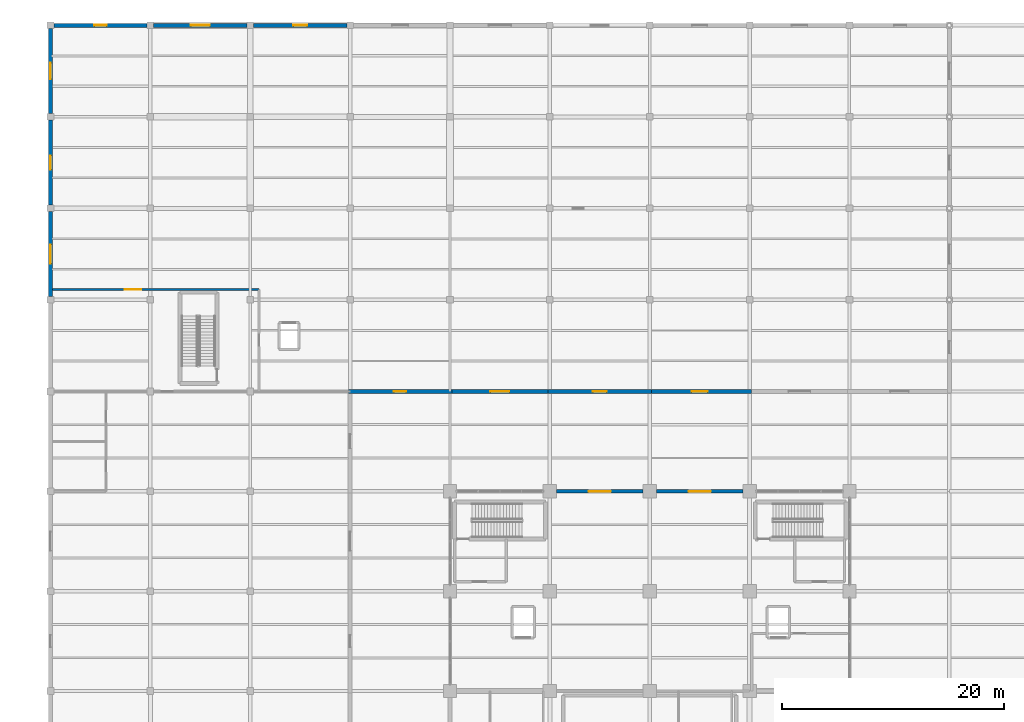
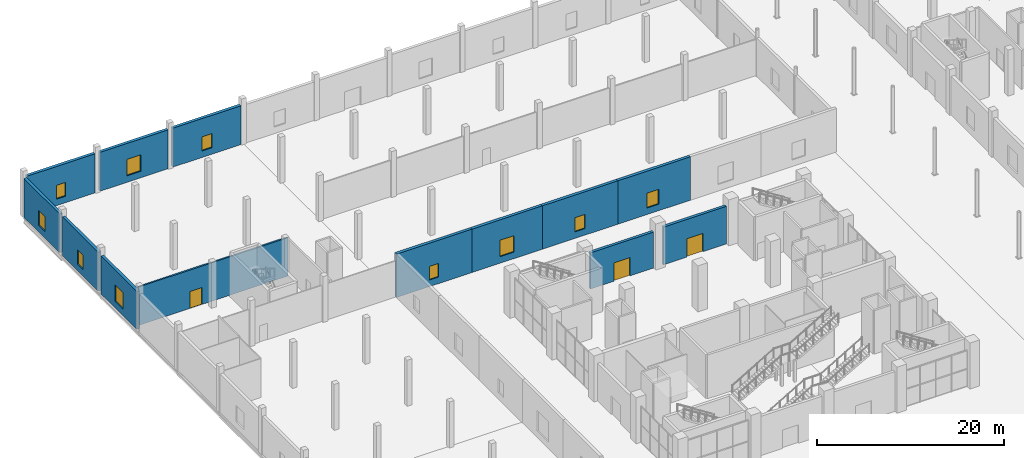
# One storey, part 127 of 144: 13 walls, 10 windows, 3 doors, 13 openings.
"""IFC4 building model written with IfcOpenShell, lengths in metres."""

from ifc_helpers import new_model, si_unit, direction, frame, frame_2d, origin, place, context, subcontext, project, spatial, rectangle, extrude, material, layer, layer_set, type_object, element, fill, save


model = new_model("IFC4")

# Units and contexts
model_context = context("Model", 3, precision=1e-05, world=origin(), true_north=direction((0.0, 1.0)))
body_context = subcontext(model_context, "Body", "Model", "MODEL_VIEW")
ifc_project = project(units=[si_unit("LENGTHUNIT", "METRE"), si_unit("AREAUNIT", "SQUARE_METRE"), si_unit("VOLUMEUNIT", "CUBIC_METRE"), si_unit("PLANEANGLEUNIT", "RADIAN"), si_unit("MASSUNIT", "GRAM", prefix="KILO")], contexts=[model_context])

# Site, building, storey
site_placement = place(None, origin())
site = spatial("IfcSite", under=ifc_project, at=site_placement, CompositionType="ELEMENT")
building_placement = place(site_placement, origin())
building = spatial("IfcBuilding", under=site, at=building_placement, Name="Sundgate Opera House", CompositionType="ELEMENT")
storey_placement = place(building_placement, origin())
storey = spatial("IfcBuildingStorey", under=building, at=storey_placement, Name="L00", CompositionType="ELEMENT", Elevation=0.0)

# Wall, opening, window
ifc_material_1 = material(Name="Scanian red-brown facing brick masonry", Category="masonry")
ifc_layer_1 = layer(ifc_material_1, 0.360107421875)
ifc_layer_set_1 = layer_set([ifc_layer_1], Name="Scanian red-brown facing brick masonry")
wall_type_1 = type_object("IfcWallType", Name="WL-EXT-BRICK-360", PredefinedType="SOLIDWALL", material=ifc_layer_set_1)
wall_1_placement = place(storey_placement, frame((0.294921875, 120.0, 0.0), z_axis=(0.0, 0.0, 1.0), x_axis=(1.0, 0.0, 0.0)))
wall_1 = element("IfcWall", 1, at=wall_1_placement, inside=storey, type_object=wall_type_1, Name="L00 Costume Wing North Wall W0347", PredefinedType="SOLIDWALL", context=body_context, shape_type="SweptSolid", body=[
    extrude(rectangle(XDim=8.41015625, YDim=0.360107421875, at=frame_2d((4.205078125, 0.0))), origin(), (0.0, 0.0, 1.0), 5.114990234375),
])
opening_1_placement = place(wall_1_placement, frame((3.655029296875, 0.0, 0.85009765625)))
opening_1 = element("IfcOpeningElement", 2, at=opening_1_placement, cuts=wall_1, Name="Opening W12", PredefinedType="OPENING", context=body_context, shape_type="SweptSolid", body=[
    extrude(rectangle(XDim=1.10009765625, YDim=1.800048828125, at=frame_2d((0.550048828125, 0.89990234375))), frame((0.0, 0.18994140625, 0.0), z_axis=(0.0, -1.0, 0.0), x_axis=(1.0, 0.0, 0.0)), (0.0, 0.0, 1.0), 0.380126953125),
])
ifc_material_2 = material(Name="Low-iron triple glazing in patinated bronze frame", Category="glass")
window_type_1 = type_object("IfcWindowType", Name="WN-STAGE-1100x1800", PartitioningType="SINGLE_PANEL", PredefinedType="WINDOW", material=ifc_material_2)
window_1_placement = place(opening_1_placement, origin())
window_1 = element("IfcWindow", 3, at=window_1_placement, inside=storey, type_object=window_type_1, Name="L00 Costume Pavilion Window WN0264", OverallHeight=1.800048828125, OverallWidth=1.10009765625, PartitioningType="SINGLE_PANEL", PredefinedType="WINDOW", context=body_context, shape_type="SweptSolid", body=[
    extrude(rectangle(XDim=1.10009765625, YDim=1.800048828125, at=frame_2d((0.550048828125, 0.89990234375))), frame((0.0, 0.030029296875, 0.0), z_axis=(0.0, -1.0, 0.0), x_axis=(1.0, 0.0, 0.0)), (0.0, 0.0, 1.0), 0.06005859375),
])
fill(opening_1, window_1)

wall_2_placement = place(storey_placement, frame((9.294921875, 120.0, 0.0), z_axis=(0.0, 0.0, 1.0), x_axis=(1.0, 0.0, 0.0)))
wall_2 = element("IfcWall", 4, at=wall_2_placement, inside=storey, type_object=wall_type_1, Name="L00 Costume Wing North Wall W0348", PredefinedType="SOLIDWALL", context=body_context, shape_type="SweptSolid", body=[
    extrude(rectangle(XDim=8.41015625, YDim=0.360107421875, at=frame_2d((4.205078125, 0.0))), origin(), (0.0, 0.0, 1.0), 5.074951171875),
])
opening_2_placement = place(wall_2_placement, frame((3.35498046875, 0.0, 0.85009765625)))
opening_2 = element("IfcOpeningElement", 5, at=opening_2_placement, cuts=wall_2, Name="Opening W13", PredefinedType="OPENING", context=body_context, shape_type="SweptSolid", body=[
    extrude(rectangle(XDim=1.699951171875, YDim=2.14990234375, at=frame_2d((0.85009765625, 1.074951171875))), frame((0.0, 0.18994140625, 0.0), z_axis=(0.0, -1.0, 0.0), x_axis=(1.0, 0.0, 0.0)), (0.0, 0.0, 1.0), 0.380126953125),
])
ifc_material_3 = material(Name="Low-iron triple glazing in patinated bronze frame", Category="glass")
window_type_2 = type_object("IfcWindowType", Name="WN-GALL-1700x2150", PartitioningType="SINGLE_PANEL", PredefinedType="WINDOW", material=ifc_material_3)
window_2_placement = place(opening_2_placement, origin())
window_2 = element("IfcWindow", 6, at=window_2_placement, inside=storey, type_object=window_type_2, Name="L00 Costume Pavilion Window WN0265", OverallHeight=2.14990234375, OverallWidth=1.699951171875, PartitioningType="SINGLE_PANEL", PredefinedType="WINDOW", context=body_context, shape_type="SweptSolid", body=[
    extrude(rectangle(XDim=1.699951171875, YDim=2.14990234375, at=frame_2d((0.85009765625, 1.074951171875))), frame((0.0, 0.030029296875, 0.0), z_axis=(0.0, -1.0, 0.0), x_axis=(1.0, 0.0, 0.0)), (0.0, 0.0, 1.0), 0.06005859375),
])
fill(opening_2, window_2)

wall_3_placement = place(storey_placement, frame((18.294921875, 120.0, 0.0), z_axis=(0.0, 0.0, 1.0), x_axis=(1.0, 0.0, 0.0)))
wall_3 = element("IfcWall", 7, at=wall_3_placement, inside=storey, type_object=wall_type_1, Name="L00 Costume Wing North Wall W0349", PredefinedType="SOLIDWALL", context=body_context, shape_type="SweptSolid", body=[
    extrude(rectangle(XDim=8.41015625, YDim=0.360107421875, at=frame_2d((4.205078125, 0.0))), origin(), (0.0, 0.0, 1.0), 5.074951171875),
])
opening_3_placement = place(wall_3_placement, frame((3.580078125, 0.0, 0.85009765625)))
opening_3 = element("IfcOpeningElement", 8, at=opening_3_placement, cuts=wall_3, Name="Opening W14", PredefinedType="OPENING", context=body_context, shape_type="SweptSolid", body=[
    extrude(rectangle(XDim=1.25, YDim=1.85009765625, at=frame_2d((0.625, 0.925048828125))), frame((0.0, 0.18994140625, 0.0), z_axis=(0.0, -1.0, 0.0), x_axis=(1.0, 0.0, 0.0)), (0.0, 0.0, 1.0), 0.380126953125),
])
ifc_material_4 = material(Name="Low-iron triple glazing in patinated bronze frame", Category="glass")
window_type_3 = type_object("IfcWindowType", Name="WN-DRES-1250x1850", PartitioningType="SINGLE_PANEL", PredefinedType="WINDOW", material=ifc_material_4)
window_3_placement = place(opening_3_placement, origin())
window_3 = element("IfcWindow", 9, at=window_3_placement, inside=storey, type_object=window_type_3, Name="L00 Costume Pavilion Window WN0266", OverallHeight=1.85009765625, OverallWidth=1.25, PartitioningType="SINGLE_PANEL", PredefinedType="WINDOW", context=body_context, shape_type="SweptSolid", body=[
    extrude(rectangle(XDim=1.25, YDim=1.85009765625, at=frame_2d((0.625, 0.925048828125))), frame((0.0, 0.030029296875, 0.0), z_axis=(0.0, -1.0, 0.0), x_axis=(1.0, 0.0, 0.0)), (0.0, 0.0, 1.0), 0.06005859375),
])
fill(opening_3, window_3)

wall_4_placement = place(storey_placement, frame((0.0, 103.205078125, 0.0), z_axis=(0.0, 0.0, 1.0), x_axis=(0.0, -1.0, 0.0)))
wall_4 = element("IfcWall", 10, at=wall_4_placement, inside=storey, type_object=wall_type_1, Name="L00 Costume Wing West Wall W0357", PredefinedType="SOLIDWALL", context=body_context, shape_type="SweptSolid", body=[
    extrude(rectangle(XDim=7.66015625, YDim=0.360107421875, at=frame_2d((3.830078125, 0.0))), origin(), (0.0, 0.0, 1.0), 4.965087890625),
])
opening_4_placement = place(wall_4_placement, frame((2.97998046875, 0.0, 0.85009765625)))
opening_4 = element("IfcOpeningElement", 11, at=opening_4_placement, cuts=wall_4, Name="Opening W13", PredefinedType="OPENING", context=body_context, shape_type="SweptSolid", body=[
    extrude(rectangle(XDim=1.699951171875, YDim=2.14990234375, at=frame_2d((0.85009765625, 1.074951171875))), frame((0.0, 0.18994140625, 0.0), z_axis=(0.0, -1.0, 0.0), x_axis=(1.0, 0.0, 0.0)), (0.0, 0.0, 1.0), 0.380126953125),
])
window_4_placement = place(opening_4_placement, origin())
window_4 = element("IfcWindow", 12, at=window_4_placement, inside=storey, type_object=window_type_2, Name="L00 Costume Pavilion Window WN0272", OverallHeight=2.14990234375, OverallWidth=1.699951171875, PartitioningType="SINGLE_PANEL", PredefinedType="WINDOW", context=body_context, shape_type="SweptSolid", body=[
    extrude(rectangle(XDim=1.699951171875, YDim=2.14990234375, at=frame_2d((0.85009765625, 1.074951171875))), frame((0.0, 0.030029296875, 0.0), z_axis=(0.0, -1.0, 0.0), x_axis=(1.0, 0.0, 0.0)), (0.0, 0.0, 1.0), 0.06005859375),
])
fill(opening_4, window_4)

wall_5_placement = place(storey_placement, frame((0.0, 111.455078125, 0.0), z_axis=(0.0, 0.0, 1.0), x_axis=(0.0, -1.0, 0.0)))
wall_5 = element("IfcWall", 13, at=wall_5_placement, inside=storey, type_object=wall_type_1, Name="L00 Costume Wing West Wall W0358", PredefinedType="SOLIDWALL", context=body_context, shape_type="SweptSolid", body=[
    extrude(rectangle(XDim=7.66015625, YDim=0.360107421875, at=frame_2d((3.830078125, 0.0))), origin(), (0.0, 0.0, 1.0), 5.06494140625),
])
opening_5_placement = place(wall_5_placement, frame((3.205078125, 0.0, 0.85009765625)))
opening_5 = element("IfcOpeningElement", 14, at=opening_5_placement, cuts=wall_5, Name="Opening W14", PredefinedType="OPENING", context=body_context, shape_type="SweptSolid", body=[
    extrude(rectangle(XDim=1.25, YDim=1.85009765625, at=frame_2d((0.625, 0.925048828125))), frame((0.0, 0.18994140625, 0.0), z_axis=(0.0, -1.0, 0.0), x_axis=(1.0, 0.0, 0.0)), (0.0, 0.0, 1.0), 0.380126953125),
])
window_5_placement = place(opening_5_placement, origin())
window_5 = element("IfcWindow", 15, at=window_5_placement, inside=storey, type_object=window_type_3, Name="L00 Costume Pavilion Window WN0273", OverallHeight=1.85009765625, OverallWidth=1.25, PartitioningType="SINGLE_PANEL", PredefinedType="WINDOW", context=body_context, shape_type="SweptSolid", body=[
    extrude(rectangle(XDim=1.25, YDim=1.85009765625, at=frame_2d((0.625, 0.925048828125))), frame((0.0, 0.030029296875, 0.0), z_axis=(0.0, -1.0, 0.0), x_axis=(1.0, 0.0, 0.0)), (0.0, 0.0, 1.0), 0.06005859375),
])
fill(opening_5, window_5)

wall_6_placement = place(storey_placement, frame((0.0, 119.705078125, 0.0), z_axis=(0.0, 0.0, 1.0), x_axis=(0.0, -1.0, 0.0)))
wall_6 = element("IfcWall", 16, at=wall_6_placement, inside=storey, type_object=wall_type_1, Name="L00 Costume Wing West Wall W0359", PredefinedType="SOLIDWALL", context=body_context, shape_type="SweptSolid", body=[
    extrude(rectangle(XDim=7.66015625, YDim=0.360107421875, at=frame_2d((3.830078125, 0.0))), origin(), (0.0, 0.0, 1.0), 5.074951171875),
])
opening_6_placement = place(wall_6_placement, frame((3.10498046875, 0.0, 0.85009765625)))
opening_6 = element("IfcOpeningElement", 17, at=opening_6_placement, cuts=wall_6, Name="Opening W15", PredefinedType="OPENING", context=body_context, shape_type="SweptSolid", body=[
    extrude(rectangle(XDim=1.449951171875, YDim=1.949951171875, at=frame_2d((0.72509765625, 0.97509765625))), frame((0.0, 0.18994140625, 0.0), z_axis=(0.0, -1.0, 0.0), x_axis=(1.0, 0.0, 0.0)), (0.0, 0.0, 1.0), 0.380126953125),
])
ifc_material_5 = material(Name="Low-iron triple glazing in patinated bronze frame", Category="glass")
window_type_4 = type_object("IfcWindowType", Name="WN-LIBR-1450x1950", PartitioningType="SINGLE_PANEL", PredefinedType="WINDOW", material=ifc_material_5)
window_6_placement = place(opening_6_placement, origin())
window_6 = element("IfcWindow", 18, at=window_6_placement, inside=storey, type_object=window_type_4, Name="L00 Costume Pavilion Window WN0274", OverallHeight=1.949951171875, OverallWidth=1.449951171875, PartitioningType="SINGLE_PANEL", PredefinedType="WINDOW", context=body_context, shape_type="SweptSolid", body=[
    extrude(rectangle(XDim=1.449951171875, YDim=1.949951171875, at=frame_2d((0.72509765625, 0.97509765625))), frame((0.0, 0.030029296875, 0.0), z_axis=(0.0, -1.0, 0.0), x_axis=(1.0, 0.0, 0.0)), (0.0, 0.0, 1.0), 0.06005859375),
])
fill(opening_6, window_6)

wall_7_placement = place(storey_placement, frame((36.159912109375, 87.0, 0.0), z_axis=(0.0, 0.0, 1.0), x_axis=(-1.0, 0.0, 0.0)))
wall_7 = element("IfcWall", 19, at=wall_7_placement, inside=storey, type_object=wall_type_1, Name="L00 Costume Wing South Wall W0370", PredefinedType="SOLIDWALL", context=body_context, shape_type="SweptSolid", body=[
    extrude(rectangle(XDim=9.31982421875, YDim=0.360107421875, at=frame_2d((4.659912109375, 0.0))), origin(), (0.0, 0.0, 1.0), 5.6650390625),
])
opening_7_placement = place(wall_7_placement, frame((4.110107421875, 0.0, 0.85009765625)))
opening_7 = element("IfcOpeningElement", 20, at=opening_7_placement, cuts=wall_7, Name="Opening W12", PredefinedType="OPENING", context=body_context, shape_type="SweptSolid", body=[
    extrude(rectangle(XDim=1.10009765625, YDim=1.800048828125, at=frame_2d((0.550048828125, 0.89990234375))), frame((0.0, 0.18994140625, 0.0), z_axis=(0.0, -1.0, 0.0), x_axis=(1.0, 0.0, 0.0)), (0.0, 0.0, 1.0), 0.380126953125),
])
window_7_placement = place(opening_7_placement, origin())
window_7 = element("IfcWindow", 21, at=window_7_placement, inside=storey, type_object=window_type_1, Name="L00 Costume Pavilion Window WN0284", OverallHeight=1.800048828125, OverallWidth=1.10009765625, PartitioningType="SINGLE_PANEL", PredefinedType="WINDOW", context=body_context, shape_type="SweptSolid", body=[
    extrude(rectangle(XDim=1.10009765625, YDim=1.800048828125, at=frame_2d((0.550048828125, 0.89990234375))), frame((0.0, 0.030029296875, 0.0), z_axis=(0.0, -1.0, 0.0), x_axis=(1.0, 0.0, 0.0)), (0.0, 0.0, 1.0), 0.06005859375),
])
fill(opening_7, window_7)

wall_8_placement = place(storey_placement, frame((45.159912109375, 87.0, 0.0), z_axis=(0.0, 0.0, 1.0), x_axis=(-1.0, 0.0, 0.0)))
wall_8 = element("IfcWall", 22, at=wall_8_placement, inside=storey, type_object=wall_type_1, Name="L00 Costume Wing South Wall W0371", PredefinedType="SOLIDWALL", context=body_context, shape_type="SweptSolid", body=[
    extrude(rectangle(XDim=9.31982421875, YDim=0.360107421875, at=frame_2d((4.659912109375, 0.0))), origin(), (0.0, 0.0, 1.0), 5.6650390625),
])
opening_8_placement = place(wall_8_placement, frame((3.81005859375, 0.0, 0.85009765625)))
opening_8 = element("IfcOpeningElement", 23, at=opening_8_placement, cuts=wall_8, Name="Opening W13", PredefinedType="OPENING", context=body_context, shape_type="SweptSolid", body=[
    extrude(rectangle(XDim=1.699951171875, YDim=2.14990234375, at=frame_2d((0.85009765625, 1.074951171875))), frame((0.0, 0.18994140625, 0.0), z_axis=(0.0, -1.0, 0.0), x_axis=(1.0, 0.0, 0.0)), (0.0, 0.0, 1.0), 0.380126953125),
])
window_8_placement = place(opening_8_placement, origin())
window_8 = element("IfcWindow", 24, at=window_8_placement, inside=storey, type_object=window_type_2, Name="L00 Costume Pavilion Window WN0285", OverallHeight=2.14990234375, OverallWidth=1.699951171875, PartitioningType="SINGLE_PANEL", PredefinedType="WINDOW", context=body_context, shape_type="SweptSolid", body=[
    extrude(rectangle(XDim=1.699951171875, YDim=2.14990234375, at=frame_2d((0.85009765625, 1.074951171875))), frame((0.0, 0.030029296875, 0.0), z_axis=(0.0, -1.0, 0.0), x_axis=(1.0, 0.0, 0.0)), (0.0, 0.0, 1.0), 0.06005859375),
])
fill(opening_8, window_8)

wall_9_placement = place(storey_placement, frame((54.159912109375, 87.0, 0.0), z_axis=(0.0, 0.0, 1.0), x_axis=(-1.0, 0.0, 0.0)))
wall_9 = element("IfcWall", 25, at=wall_9_placement, inside=storey, type_object=wall_type_1, Name="L00 Costume Wing South Wall W0372", PredefinedType="SOLIDWALL", context=body_context, shape_type="SweptSolid", body=[
    extrude(rectangle(XDim=9.31982421875, YDim=0.360107421875, at=frame_2d((4.659912109375, 0.0))), origin(), (0.0, 0.0, 1.0), 5.6650390625),
])
opening_9_placement = place(wall_9_placement, frame((4.034912109375, 0.0, 0.85009765625)))
opening_9 = element("IfcOpeningElement", 26, at=opening_9_placement, cuts=wall_9, Name="Opening W14", PredefinedType="OPENING", context=body_context, shape_type="SweptSolid", body=[
    extrude(rectangle(XDim=1.25, YDim=1.85009765625, at=frame_2d((0.625, 0.925048828125))), frame((0.0, 0.18994140625, 0.0), z_axis=(0.0, -1.0, 0.0), x_axis=(1.0, 0.0, 0.0)), (0.0, 0.0, 1.0), 0.380126953125),
])
window_9_placement = place(opening_9_placement, origin())
window_9 = element("IfcWindow", 27, at=window_9_placement, inside=storey, type_object=window_type_3, Name="L00 Costume Pavilion Window WN0286", OverallHeight=1.85009765625, OverallWidth=1.25, PartitioningType="SINGLE_PANEL", PredefinedType="WINDOW", context=body_context, shape_type="SweptSolid", body=[
    extrude(rectangle(XDim=1.25, YDim=1.85009765625, at=frame_2d((0.625, 0.925048828125))), frame((0.0, 0.030029296875, 0.0), z_axis=(0.0, -1.0, 0.0), x_axis=(1.0, 0.0, 0.0)), (0.0, 0.0, 1.0), 0.06005859375),
])
fill(opening_9, window_9)

wall_10_placement = place(storey_placement, frame((63.159912109375, 87.0, 0.0), z_axis=(0.0, 0.0, 1.0), x_axis=(-1.0, 0.0, 0.0)))
wall_10 = element("IfcWall", 28, at=wall_10_placement, inside=storey, type_object=wall_type_1, Name="L00 Costume Wing South Wall W0373", PredefinedType="SOLIDWALL", context=body_context, shape_type="SweptSolid", body=[
    extrude(rectangle(XDim=9.31982421875, YDim=0.360107421875, at=frame_2d((4.659912109375, 0.0))), origin(), (0.0, 0.0, 1.0), 5.6650390625),
])
opening_10_placement = place(wall_10_placement, frame((3.93505859375, 0.0, 0.85009765625)))
opening_10 = element("IfcOpeningElement", 29, at=opening_10_placement, cuts=wall_10, Name="Opening W15", PredefinedType="OPENING", context=body_context, shape_type="SweptSolid", body=[
    extrude(rectangle(XDim=1.449951171875, YDim=1.949951171875, at=frame_2d((0.72509765625, 0.97509765625))), frame((0.0, 0.18994140625, 0.0), z_axis=(0.0, -1.0, 0.0), x_axis=(1.0, 0.0, 0.0)), (0.0, 0.0, 1.0), 0.380126953125),
])
window_10_placement = place(opening_10_placement, origin())
window_10 = element("IfcWindow", 30, at=window_10_placement, inside=storey, type_object=window_type_4, Name="L00 Costume Pavilion Window WN0287", OverallHeight=1.949951171875, OverallWidth=1.449951171875, PartitioningType="SINGLE_PANEL", PredefinedType="WINDOW", context=body_context, shape_type="SweptSolid", body=[
    extrude(rectangle(XDim=1.449951171875, YDim=1.949951171875, at=frame_2d((0.72509765625, 0.97509765625))), frame((0.0, 0.030029296875, 0.0), z_axis=(0.0, -1.0, 0.0), x_axis=(1.0, 0.0, 0.0)), (0.0, 0.0, 1.0), 0.06005859375),
])
fill(opening_10, window_10)

# Wall, opening, door
ifc_material_6 = material(Name="Komstad limestone ashlar masonry", Category="masonry")
ifc_layer_2 = layer(ifc_material_6, 0.340087890625)
ifc_layer_set_2 = layer_set([ifc_layer_2], Name="Komstad limestone ashlar masonry")
wall_type_2 = type_object("IfcWallType", Name="WL-EXT-COLON-340", PredefinedType="SOLIDWALL", material=ifc_layer_set_2)
wall_11_placement = place(storey_placement, frame((45.594970703125, 78.0, 0.0), z_axis=(0.0, 0.0, 1.0), x_axis=(1.0, 0.0, 0.0)))
wall_11 = element("IfcWall", 31, at=wall_11_placement, inside=storey, type_object=wall_type_2, Name="L00 Foyer North Portal W0038", PredefinedType="SOLIDWALL", context=body_context, shape_type="SweptSolid", body=[
    extrude(rectangle(XDim=7.81005859375, YDim=0.340087890625, at=frame_2d((3.905029296875, 0.0))), origin(), (0.0, 0.0, 1.0), 4.715087890625),
])
opening_11_placement = place(wall_11_placement, frame((2.905029296875, 0.0, 0.0)))
opening_11 = element("IfcOpeningElement", 32, at=opening_11_placement, cuts=wall_11, Name="Opening DE1", PredefinedType="OPENING", context=body_context, shape_type="SweptSolid", body=[
    extrude(rectangle(XDim=2.0, YDim=2.39990234375, at=frame_2d((1.0, 1.199951171875))), frame((0.0, 0.179931640625, 0.0), z_axis=(0.0, -1.0, 0.0), x_axis=(1.0, 0.0, 0.0)), (0.0, 0.0, 1.0), 0.360107421875),
])
ifc_material_7 = material(Name="Patinated bronze and laminated safety glass", Category="glass")
door_type_1 = type_object("IfcDoorType", Name="DR-EXIT-2000x2400", OperationType="NOTDEFINED", PredefinedType="DOOR", material=ifc_material_7)
door_1_placement = place(opening_11_placement, origin())
door_1 = element("IfcDoor", 33, at=door_1_placement, inside=storey, type_object=door_type_1, Name="L00 Final Exit Door E3", OperationType="DOUBLE_DOOR_SINGLE_SWING", OverallHeight=2.39990234375, OverallWidth=2.0, PredefinedType="DOOR", context=body_context, shape_type="SweptSolid", body=[
    extrude(rectangle(XDim=2.0, YDim=2.39990234375, at=frame_2d((1.0, 1.199951171875))), frame((0.0, 0.02490234375, 0.0), z_axis=(0.0, -1.0, 0.0), x_axis=(1.0, 0.0, 0.0)), (0.0, 0.0, 1.0), 0.050048828125),
])
fill(opening_11, door_1)

wall_12_placement = place(storey_placement, frame((54.594970703125, 78.0, 0.0), z_axis=(0.0, 0.0, 1.0), x_axis=(1.0, 0.0, 0.0)))
wall_12 = element("IfcWall", 34, at=wall_12_placement, inside=storey, type_object=wall_type_2, Name="L00 Foyer North Portal W0039", PredefinedType="SOLIDWALL", context=body_context, shape_type="SweptSolid", body=[
    extrude(rectangle(XDim=7.81005859375, YDim=0.340087890625, at=frame_2d((3.905029296875, 0.0))), origin(), (0.0, 0.0, 1.0), 4.9150390625),
])
opening_12_placement = place(wall_12_placement, frame((2.905029296875, 0.0, 0.0)))
opening_12 = element("IfcOpeningElement", 35, at=opening_12_placement, cuts=wall_12, Name="Opening DE1", PredefinedType="OPENING", context=body_context, shape_type="SweptSolid", body=[
    extrude(rectangle(XDim=2.0, YDim=2.39990234375, at=frame_2d((1.0, 1.199951171875))), frame((0.0, 0.179931640625, 0.0), z_axis=(0.0, -1.0, 0.0), x_axis=(1.0, 0.0, 0.0)), (0.0, 0.0, 1.0), 0.360107421875),
])
door_2_placement = place(opening_12_placement, origin())
door_2 = element("IfcDoor", 36, at=door_2_placement, inside=storey, type_object=door_type_1, Name="L00 Final Exit Door E4", OperationType="DOUBLE_DOOR_SINGLE_SWING", OverallHeight=2.39990234375, OverallWidth=2.0, PredefinedType="DOOR", context=body_context, shape_type="SweptSolid", body=[
    extrude(rectangle(XDim=2.0, YDim=2.39990234375, at=frame_2d((1.0, 1.199951171875))), frame((0.0, 0.02490234375, 0.0), z_axis=(0.0, -1.0, 0.0), x_axis=(1.0, 0.0, 0.0)), (0.0, 0.0, 1.0), 0.050048828125),
])
fill(opening_12, door_2)

ifc_material_8 = material(Name="Fire-rated corridor partition", Category="gypsum")
ifc_layer_3 = layer(ifc_material_8, 0.199951171875)
ifc_layer_set_3 = layer_set([ifc_layer_3], Name="Fire-rated corridor partition")
wall_type_3 = type_object("IfcWallType", Name="WL-INT-FIRE-200", PredefinedType="PARTITIONING", material=ifc_layer_set_3)
wall_13_placement = place(storey_placement, frame((0.199951171875, 96.199951171875, 0.0), z_axis=(0.0, 0.0, 1.0), x_axis=(1.0, 0.0, 0.0)))
wall_13 = element("IfcWall", 37, at=wall_13_placement, inside=storey, type_object=wall_type_3, Name="L00 Interior Partition W1004", PredefinedType="PARTITIONING", context=body_context, shape_type="SweptSolid", body=[
    extrude(rectangle(XDim=18.60009765625, YDim=0.199951171875, at=frame_2d((9.300048828125, 0.0))), origin(), (0.0, 0.0, 1.0), 5.014892578125),
])
opening_13_placement = place(wall_13_placement, frame((6.498046875, 0.0, 0.0)))
opening_13 = element("IfcOpeningElement", 38, at=opening_13_placement, cuts=wall_13, Name="Opening DI07", PredefinedType="OPENING", context=body_context, shape_type="SweptSolid", body=[
    extrude(rectangle(XDim=1.5, YDim=2.199951171875, at=frame_2d((0.75, 1.10009765625))), frame((0.0, 0.10986328125, 0.0), z_axis=(0.0, -1.0, 0.0), x_axis=(1.0, 0.0, 0.0)), (0.0, 0.0, 1.0), 0.219970703125),
])
ifc_material_9 = material(Name="Acoustic hardwood timber and steel core", Category="steel")
door_type_2 = type_object("IfcDoorType", Name="DR-CORR-1500x2200", OperationType="DOUBLE_DOOR_SINGLE_SWING", PredefinedType="DOOR", material=ifc_material_9)
door_3_placement = place(opening_13_placement, origin())
door_3 = element("IfcDoor", 39, at=door_3_placement, inside=storey, type_object=door_type_2, Name="L00 Interior Door D0179", OperationType="DOUBLE_DOOR_SINGLE_SWING", OverallHeight=2.199951171875, OverallWidth=1.5, PredefinedType="DOOR", context=body_context, shape_type="SweptSolid", body=[
    extrude(rectangle(XDim=1.5, YDim=2.199951171875, at=frame_2d((0.75, 1.10009765625))), frame((0.0, 0.02490234375, 0.0), z_axis=(0.0, -1.0, 0.0), x_axis=(1.0, 0.0, 0.0)), (0.0, 0.0, 1.0), 0.050048828125),
])
fill(opening_13, door_3)

save(model, "model.ifc")
